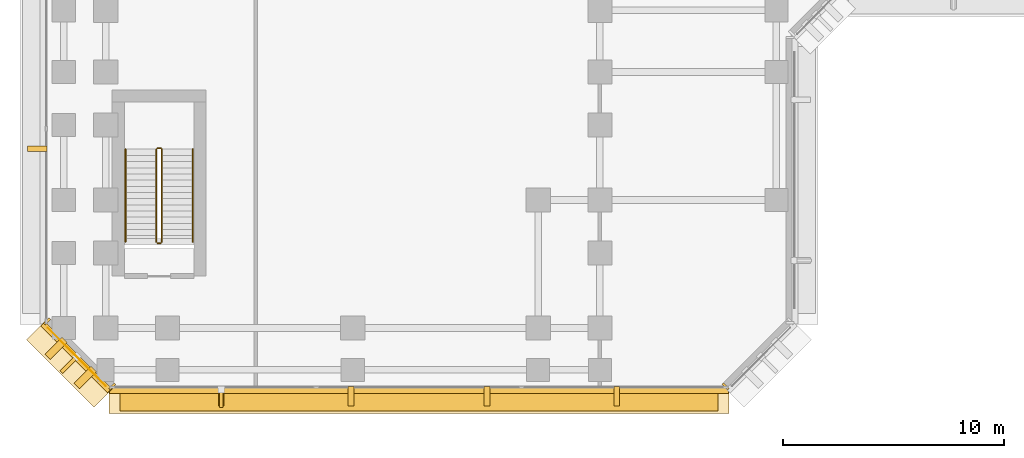
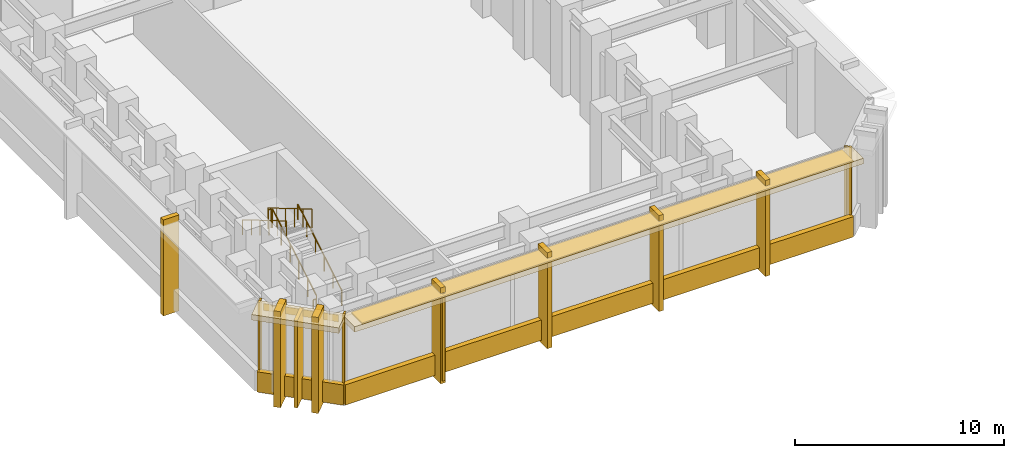
# One storey, part 10 of 16: 15 coverings, 6 railings, 3 shading devices.
"""IFC4 building model written with IfcOpenShell, lengths in metres."""

from ifc_helpers import new_model, si_unit, direction, frame, origin, origin_2d, place, context, subcontext, project, spatial, rectangle, circle, extrude, material, layer, layer_set, material_profile, profile_set, type_object, element, save


model = new_model("IFC4")

# Units and contexts
model_context = context("Model", 3, precision=1e-05, world=origin(), true_north=direction((0.0, 1.0)))
body_context = subcontext(model_context, "Body", "Model", "MODEL_VIEW")
ifc_project = project(units=[si_unit("LENGTHUNIT", "METRE"), si_unit("AREAUNIT", "SQUARE_METRE"), si_unit("VOLUMEUNIT", "CUBIC_METRE"), si_unit("PLANEANGLEUNIT", "RADIAN"), si_unit("MASSUNIT", "GRAM", prefix="KILO")], contexts=[model_context])

# Site, building, storey
site_placement = place(None, origin())
site = spatial("IfcSite", under=ifc_project, at=site_placement, CompositionType="ELEMENT")
building_placement = place(site_placement, origin())
building = spatial("IfcBuilding", under=site, at=building_placement, Name="Kefirva Bronze Tower", CompositionType="ELEMENT")
storey_placement = place(building_placement, frame((0.0, 0.0, 11.219970703125)))
storey = spatial("IfcBuildingStorey", under=building, at=storey_placement, Name="L02", CompositionType="ELEMENT", Elevation=11.219970703125)

# Coverings
ifc_material_1 = material(Name="Bronze anodised aluminium", Category="aluminium")
ifc_layer_1 = layer(ifc_material_1, 0.02001953125, Name="Bronze anodised aluminium")
ifc_layer_set_1 = layer_set([ifc_layer_1], Name="Bronze anodised aluminium")
covering_type_1 = type_object("IfcCoveringType", Name="Anodised Bronze Spandrel Cladding 20mm", PredefinedType="CLADDING", material=ifc_layer_set_1)
covering_1_placement = place(storey_placement, frame((15.0, -2.0400390625, -0.16015625), z_axis=(0.0, 0.0, 1.0), x_axis=(1.0, 0.0, 0.0)))
element("IfcCovering", 1, at=covering_1_placement, inside=storey, type_object=covering_type_1, Name="L02 Streamline Horizontal Spandrel Band 0", PredefinedType="CLADDING", context=body_context, shape_type="SweptSolid", body=[
    extrude(rectangle(XDim=28.0400390625, YDim=0.280029296875, at=origin_2d()), origin(), (0.0, 0.0, 1.0), 1.179931640625),
])
covering_2_placement = place(storey_placement, frame((28.8974609375, -1.847900390625, 0.0), z_axis=(0.0, 0.0, 1.0), x_axis=(0.707106781187, 0.707106781187, 0.0)))
element("IfcCovering", 2, at=covering_2_placement, inside=storey, type_object=covering_type_1, Name="L02 Facade Joint Closure Panel 1S", PredefinedType="CLADDING", context=body_context, shape_type="SweptSolid", body=[
    extrude(rectangle(XDim=0.10009765625, YDim=0.360107421875, at=origin_2d()), origin(), (0.0, 0.0, 1.0), 4.9599609375),
])
covering_3_placement = place(storey_placement, frame((-0.507080078125, -0.507080078125, 4.5400390625), z_axis=(0.0, 0.0, 1.0), x_axis=(0.707106781187, -0.707106781187, 0.0)))
element("IfcCovering", 3, at=covering_3_placement, inside=storey, type_object=covering_type_1, Name="L02 Bronze Spandrel Cladding 8", PredefinedType="CLADDING", context=body_context, shape_type="SweptSolid", body=[
    extrude(rectangle(XDim=3.719482421875, YDim=0.02001953125, at=origin_2d()), origin(), (0.0, 0.0, 1.0), 0.39990234375),
])
for number, where, z_axis, x_axis, name in (
    (4, (-1.847900390625, 1.1025390625, 0.0), (0.0, 0.0, 1.0), (0.707106781187, -0.707106781187, 0.0), "L02 Facade Joint Closure Panel 8S"),
    (5, (1.1025390625, -1.847900390625, 0.0), (0.0, 0.0, 1.0), (0.707106781187, -0.707106781187, 0.0), "L02 Facade Joint Closure Panel 8E"),
):
    element("IfcCovering", number, at=place(storey_placement, frame(where, z_axis=z_axis, x_axis=x_axis)), inside=storey, type_object=covering_type_1, Name=name, PredefinedType="CLADDING", context=body_context, shape_type="SweptSolid", body=[
        extrude(rectangle(XDim=0.10009765625, YDim=0.360107421875, at=origin_2d()), origin(), (0.0, 0.0, 1.0), 4.9599609375),
    ])
covering_4_placement = place(storey_placement, frame((-0.5283203125, -0.5283203125, -0.16015625), z_axis=(0.0, 0.0, 1.0), x_axis=(0.707106781187, -0.707106781187, 0.0)))
element("IfcCovering", 6, at=covering_4_placement, inside=storey, type_object=covering_type_1, Name="L02 Streamline Horizontal Spandrel Band 11", PredefinedType="CLADDING", context=body_context, shape_type="SweptSolid", body=[
    extrude(rectangle(XDim=4.28271484375, YDim=0.280029296875, at=origin_2d()), origin(), (0.0, 0.0, 1.0), 1.179931640625),
])

# Shading device
ifc_material_profile_1 = material_profile(ifc_material_1, rectangle(XDim=0.179931640625, YDim=1.080078125, at=origin_2d()), Name="BRONZE BUTTRESS FIN 180x1080")
ifc_profile_set_1 = profile_set([ifc_material_profile_1], Name="Bronze anodised aluminium")
shading_device_type_1 = type_object("IfcShadingDeviceType", Name="Chamfered Corner Buttress Bronze Fin 1080mm", PredefinedType="USERDEFINED", material=ifc_profile_set_1)
shading_device_1_placement = place(storey_placement, frame((-0.8251953125, -0.8251953125, -0.139892578125), z_axis=(0.0, 0.0, 1.0), x_axis=(0.707106781187, -0.707106781187, 0.0)))
element("IfcShadingDevice", 7, at=shading_device_1_placement, inside=storey, type_object=shading_device_type_1, Name="L02 Chamfered Corner Buttress Fin 30", ObjectType="VERTICAL FIN", PredefinedType="USERDEFINED", context=body_context, shape_type="SweptSolid", body=[
    extrude(rectangle(XDim=0.179931640625, YDim=1.080078125, at=origin_2d()), origin(), (0.0, 0.0, 1.0), 5.099853515625),
])

# Railings
ifc_material_2 = material(Name="Stainless steel 316", Category="steel")
railing_type_1 = type_object("IfcRailingType", Name="Interior Stair Guardrail 1100mm", PredefinedType="GUARDRAIL", material=ifc_material_2)
railing_1_placement = place(storey_placement, frame((3.35009765625, 4.699951171875, 0.1650390625)))
element("IfcRailing", 8, at=railing_1_placement, inside=storey, type_object=railing_type_1, Name="L02 ST-3 stair guard 1", PredefinedType="GUARDRAIL", context=body_context, shape_type="SweptSolid", body=[
    extrude(circle(Radius=0.02392578125, at=origin_2d()), frame((0.0, 0.0, 1.076171875), z_axis=(0.0, 0.861527117747, 0.50771155727), x_axis=(-1.0, 0.0, 0.0)), (0.0, 0.0, 1.0), 4.875),
    extrude(circle(Radius=0.02099609375, at=origin_2d()), origin(), (0.0, 0.0, 1.0), 1.052001953125),
    extrude(circle(Radius=0.02099609375, at=origin_2d()), frame((0.0, 0.840087890625, 0.4951171875)), (0.0, 0.0, 1.0), 1.052001953125),
    extrude(circle(Radius=0.02099609375, at=origin_2d()), frame((0.0, 1.679931640625, 0.989990234375)), (0.0, 0.0, 1.0), 1.052001953125),
    extrude(circle(Radius=0.02099609375, at=origin_2d()), frame((0.0, 2.52001953125, 1.485107421875)), (0.0, 0.0, 1.0), 1.052001953125),
    extrude(circle(Radius=0.02099609375, at=origin_2d()), frame((0.0, 3.35986328125, 1.97998046875)), (0.0, 0.0, 1.0), 1.052001953125),
    extrude(circle(Radius=0.02099609375, at=origin_2d()), frame((0.0, 4.199951171875, 2.47509765625)), (0.0, 0.0, 1.0), 1.052001953125),
])
railing_2_placement = place(storey_placement, frame((3.300048828125, 8.949951171875, 2.64013671875)))
element("IfcRailing", 9, at=railing_2_placement, inside=storey, type_object=railing_type_1, Name="L02 ST-3 stair guard 2", PredefinedType="GUARDRAIL", context=body_context, shape_type="SweptSolid", body=[
    extrude(circle(Radius=0.02392578125, at=origin_2d()), frame((0.0, 0.0, 1.076171875), z_axis=(-1.0, 0.0, 0.0), x_axis=(0.0, -1.0, 0.0)), (0.0, 0.0, 1.0), 0.150146484375),
    extrude(circle(Radius=0.02099609375, at=origin_2d()), origin(), (0.0, 0.0, 1.0), 1.052001953125),
    extrude(circle(Radius=0.02099609375, at=origin_2d()), frame((-0.150146484375, 0.0, 0.0)), (0.0, 0.0, 1.0), 1.052001953125),
])
railing_3_placement = place(storey_placement, frame((3.10009765625, 8.89990234375, 2.804931640625)))
element("IfcRailing", 10, at=railing_3_placement, inside=storey, type_object=railing_type_1, Name="L02 ST-3 stair guard 3", PredefinedType="GUARDRAIL", context=body_context, shape_type="SweptSolid", body=[
    extrude(circle(Radius=0.02392578125, at=origin_2d()), frame((0.0, 0.0, 1.076171875), z_axis=(0.0, -0.861527117747, 0.50771155727), x_axis=(1.0, 0.0, 0.0)), (0.0, 0.0, 1.0), 4.875),
    extrude(circle(Radius=0.02099609375, at=origin_2d()), origin(), (0.0, 0.0, 1.0), 1.052001953125),
    extrude(circle(Radius=0.02099609375, at=origin_2d()), frame((0.0, -0.840087890625, 0.4951171875)), (0.0, 0.0, 1.0), 1.052001953125),
    extrude(circle(Radius=0.02099609375, at=origin_2d()), frame((0.0, -1.679931640625, 0.989990234375)), (0.0, 0.0, 1.0), 1.052001953125),
    extrude(circle(Radius=0.02099609375, at=origin_2d()), frame((0.0, -2.52001953125, 1.485107421875)), (0.0, 0.0, 1.0), 1.052001953125),
    extrude(circle(Radius=0.02099609375, at=origin_2d()), frame((0.0, -3.35986328125, 1.97998046875)), (0.0, 0.0, 1.0), 1.052001953125),
    extrude(circle(Radius=0.02099609375, at=origin_2d()), frame((0.0, -4.199951171875, 2.47509765625)), (0.0, 0.0, 1.0), 1.052001953125),
])
railing_4_placement = place(storey_placement, frame((3.300048828125, 4.64990234375, 0.0)))
element("IfcRailing", 11, at=railing_4_placement, inside=storey, type_object=railing_type_1, Name="L02 ST-3 stair guard 4", PredefinedType="GUARDRAIL", context=body_context, shape_type="SweptSolid", body=[
    extrude(circle(Radius=0.02392578125, at=origin_2d()), frame((0.0, 0.0, 1.076171875), z_axis=(-1.0, 0.0, 0.0), x_axis=(0.0, -1.0, 0.0)), (0.0, 0.0, 1.0), 0.150146484375),
    extrude(circle(Radius=0.02099609375, at=origin_2d()), origin(), (0.0, 0.0, 1.0), 1.052001953125),
    extrude(circle(Radius=0.02099609375, at=origin_2d()), frame((-0.150146484375, 0.0, 0.0)), (0.0, 0.0, 1.0), 1.052001953125),
])

# Shading device
ifc_layer_2 = layer(ifc_material_1, 0.1201171875, Name="Bronze anodised aluminium")
ifc_layer_set_2 = layer_set([ifc_layer_2], Name="Bronze anodised aluminium")
shading_device_type_2 = type_object("IfcShadingDeviceType", Name="Podium Deep Bronze Canopy Sunshade 1050mm", PredefinedType="JALOUSIE", material=ifc_layer_set_2)
shading_device_2_placement = place(storey_placement, frame((15.0, -2.445068359375, 4.85498046875), z_axis=(0.0, 0.0, 1.0), x_axis=(1.0, 0.0, 0.0)))
element("IfcShadingDevice", 12, at=shading_device_2_placement, inside=storey, type_object=shading_device_type_2, Name="L02 Horizontal Bronze Sunshade Band 0", PredefinedType="JALOUSIE", context=body_context, shape_type="SweptSolid", body=[
    extrude(rectangle(XDim=27.090087890625, YDim=1.050048828125, at=origin_2d()), origin(), (0.0, 0.0, 1.0), 0.090087890625),
])

# Railings
railing_type_2 = type_object("IfcRailingType", Name="Stair Pitch Handrail 900mm", PredefinedType="HANDRAIL", material=ifc_material_2)
railing_5_placement = place(storey_placement, frame((4.75, 4.699951171875, 0.1650390625)))
element("IfcRailing", 13, at=railing_5_placement, inside=storey, type_object=railing_type_2, Name="L02 ST-3 stair handrail 1", PredefinedType="HANDRAIL", context=body_context, shape_type="SweptSolid", body=[
    extrude(circle(Radius=0.02392578125, at=origin_2d()), frame((0.0, 0.0, 0.8759765625), z_axis=(0.0, 0.861527117747, 0.50771155727), x_axis=(-1.0, 0.0, 0.0)), (0.0, 0.0, 1.0), 4.875),
    extrude(circle(Radius=0.02099609375, at=origin_2d()), origin(), (0.0, 0.0, 1.0), 0.851806640625),
    extrude(circle(Radius=0.02099609375, at=origin_2d()), frame((0.0, 0.840087890625, 0.4951171875)), (0.0, 0.0, 1.0), 0.851806640625),
    extrude(circle(Radius=0.02099609375, at=origin_2d()), frame((0.0, 1.679931640625, 0.989990234375)), (0.0, 0.0, 1.0), 0.851806640625),
    extrude(circle(Radius=0.02099609375, at=origin_2d()), frame((0.0, 2.52001953125, 1.485107421875)), (0.0, 0.0, 1.0), 0.851806640625),
    extrude(circle(Radius=0.02099609375, at=origin_2d()), frame((0.0, 3.35986328125, 1.97998046875)), (0.0, 0.0, 1.0), 0.851806640625),
    extrude(circle(Radius=0.02099609375, at=origin_2d()), frame((0.0, 4.199951171875, 2.47509765625)), (0.0, 0.0, 1.0), 0.851806640625),
])
railing_6_placement = place(storey_placement, frame((1.699951171875, 8.89990234375, 2.804931640625)))
element("IfcRailing", 14, at=railing_6_placement, inside=storey, type_object=railing_type_2, Name="L02 ST-3 stair handrail 2", PredefinedType="HANDRAIL", context=body_context, shape_type="SweptSolid", body=[
    extrude(circle(Radius=0.02392578125, at=origin_2d()), frame((0.0, 0.0, 0.8759765625), z_axis=(0.0, -0.861527117747, 0.50771155727), x_axis=(1.0, 0.0, 0.0)), (0.0, 0.0, 1.0), 4.875),
    extrude(circle(Radius=0.02099609375, at=origin_2d()), origin(), (0.0, 0.0, 1.0), 0.851806640625),
    extrude(circle(Radius=0.02099609375, at=origin_2d()), frame((0.0, -0.840087890625, 0.4951171875)), (0.0, 0.0, 1.0), 0.851806640625),
    extrude(circle(Radius=0.02099609375, at=origin_2d()), frame((0.0, -1.679931640625, 0.989990234375)), (0.0, 0.0, 1.0), 0.851806640625),
    extrude(circle(Radius=0.02099609375, at=origin_2d()), frame((0.0, -2.52001953125, 1.485107421875)), (0.0, 0.0, 1.0), 0.851806640625),
    extrude(circle(Radius=0.02099609375, at=origin_2d()), frame((0.0, -3.35986328125, 1.97998046875)), (0.0, 0.0, 1.0), 0.851806640625),
    extrude(circle(Radius=0.02099609375, at=origin_2d()), frame((0.0, -4.199951171875, 2.47509765625)), (0.0, 0.0, 1.0), 0.851806640625),
])

# Coverings
ifc_layer_3 = layer(ifc_material_1, 0.179931640625, Name="Bronze anodised aluminium")
ifc_layer_set_3 = layer_set([ifc_layer_3], Name="Bronze anodised aluminium")
covering_type_2 = type_object("IfcCoveringType", Name="Streamline Bronze Sunshade Eyebrow Cladding 180mm", PredefinedType="CLADDING", material=ifc_layer_set_3)
covering_5_placement = place(storey_placement, frame((15.0, -2.4599609375, 4.64013671875), z_axis=(0.0, 0.0, 1.0), x_axis=(1.0, 0.0, 0.0)))
element("IfcCovering", 15, at=covering_5_placement, inside=storey, type_object=covering_type_2, Name="L02 Streamline Bronze Sunshade Eyebrow 0", PredefinedType="CLADDING", context=body_context, shape_type="SweptSolid", body=[
    extrude(rectangle(XDim=28.080078125, YDim=1.239990234375, at=origin_2d()), origin(), (0.0, 0.0, 1.0), 0.320068359375),
])
covering_6_placement = place(storey_placement, frame((-0.8251953125, -0.8251953125, 4.64013671875), z_axis=(0.0, 0.0, 1.0), x_axis=(0.707106781187, -0.707106781187, 0.0)))
element("IfcCovering", 16, at=covering_6_placement, inside=storey, type_object=covering_type_2, Name="L02 Streamline Bronze Sunshade Eyebrow 11", PredefinedType="CLADDING", context=body_context, shape_type="SweptSolid", body=[
    extrude(rectangle(XDim=4.322509765625, YDim=1.239990234375, at=origin_2d()), origin(), (0.0, 0.0, 1.0), 0.320068359375),
])
ifc_layer_4 = layer(ifc_material_1, 0.260009765625, Name="Bronze anodised aluminium")
ifc_layer_set_4 = layer_set([ifc_layer_4], Name="Bronze anodised aluminium")
covering_type_3 = type_object("IfcCoveringType", Name="Unbroken Bronze Buttress Fin Cladding 260mm", PredefinedType="CLADDING", material=ifc_layer_set_4)
for number, where, z_axis, x_axis, name in (
    (17, (6.0400390625, -2.300048828125, -0.320068359375), (0.0, 0.0, 1.0), (1.0, 0.0, 0.0), "L02 Unbroken Vertical Bronze Rib Fin 1"),
    (18, (11.919921875, -2.300048828125, -0.320068359375), (0.0, 0.0, 1.0), (1.0, 0.0, 0.0), "L02 Unbroken Vertical Bronze Rib Fin 2"),
    (19, (18.080078125, -2.300048828125, -0.320068359375), (0.0, 0.0, 1.0), (1.0, 0.0, 0.0), "L02 Unbroken Vertical Bronze Rib Fin 3"),
    (20, (23.9599609375, -2.300048828125, -0.320068359375), (0.0, 0.0, 1.0), (1.0, 0.0, 0.0), "L02 Unbroken Vertical Bronze Rib Fin 4"),
    (21, (-2.300048828125, 8.919921875, -0.320068359375), (0.0, 0.0, 1.0), (0.0, -1.0, 0.0), "L02 Unbroken Vertical Bronze Rib Fin 28"),
):
    element("IfcCovering", number, at=place(storey_placement, frame(where, z_axis=z_axis, x_axis=x_axis)), inside=storey, type_object=covering_type_3, Name=name, PredefinedType="CLADDING", context=body_context, shape_type="SweptSolid", body=[
        extrude(rectangle(XDim=0.260009765625, YDim=0.8798828125, at=origin_2d()), origin(), (0.0, 0.0, 1.0), 5.60009765625),
    ])
for number, where, z_axis, x_axis, name in (
    (22, (-1.44287109375, -0.122802734375, -0.320068359375), (0.0, 0.0, 1.0), (0.707106781187, -0.707106781187, 0.0), "L02 Chamfered Corner Buttress Fin Cladding 29"),
    (23, (-0.122802734375, -1.44287109375, -0.320068359375), (0.0, 0.0, 1.0), (0.707106781187, -0.707106781187, 0.0), "L02 Chamfered Corner Buttress Fin Cladding 30"),
):
    element("IfcCovering", number, at=place(storey_placement, frame(where, z_axis=z_axis, x_axis=x_axis)), inside=storey, type_object=covering_type_3, Name=name, PredefinedType="CLADDING", context=body_context, shape_type="SweptSolid", body=[
        extrude(rectangle(XDim=0.340087890625, YDim=1.080078125, at=origin_2d()), origin(), (0.0, 0.0, 1.0), 5.60009765625),
    ])

# Shading device
ifc_material_profile_2 = material_profile(ifc_material_1, rectangle(XDim=0.139892578125, YDim=0.8798828125, at=origin_2d()), Name="BRONZE FIN 140x880")
ifc_profile_set_2 = profile_set([ifc_material_profile_2], Name="Bronze anodised aluminium")
shading_device_type_3 = type_object("IfcShadingDeviceType", Name="Unbroken Vertical Bronze Facade Fin 880mm", PredefinedType="USERDEFINED", material=ifc_profile_set_2)
shading_device_3_placement = place(storey_placement, frame((6.0400390625, -2.360107421875, -0.139892578125), z_axis=(0.0, 0.0, 1.0), x_axis=(1.0, 0.0, 0.0)))
element("IfcShadingDevice", 24, at=shading_device_3_placement, inside=storey, type_object=shading_device_type_3, Name="L02 Vertical Bronze Rib Fin 1", ObjectType="VERTICAL FIN", PredefinedType="USERDEFINED", context=body_context, shape_type="SweptSolid", body=[
    extrude(rectangle(XDim=0.139892578125, YDim=0.8798828125, at=origin_2d()), origin(), (0.0, 0.0, 1.0), 5.099853515625),
])

save(model, "model.ifc")
